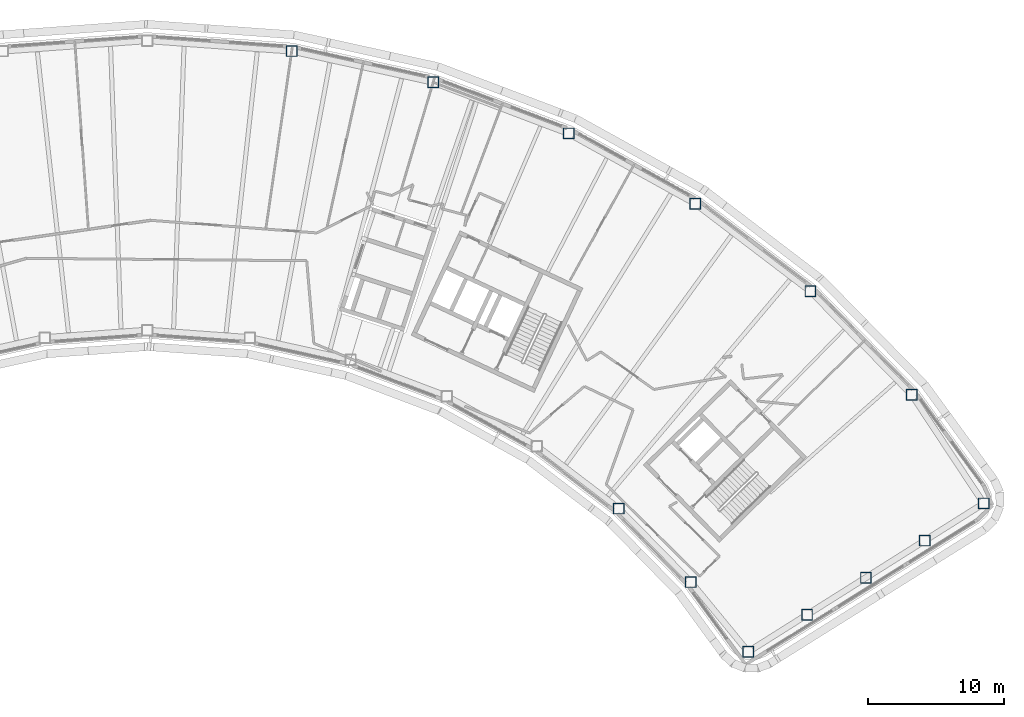
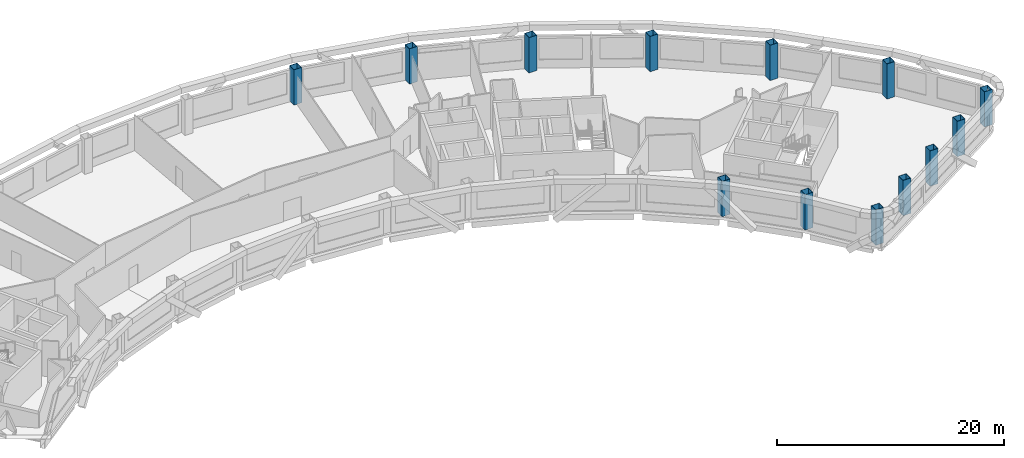
# One storey, part 2 of 18: 13 columns.
"""IFC4 building model written with IfcOpenShell, lengths in metres."""

from ifc_helpers import new_model, si_unit, direction, frame, origin, origin_2d, place, context, subcontext, project, spatial, hollow_rectangle, extrude, material, material_profile, profile_set, type_object, element, save


model = new_model("IFC4")

# Units and contexts
model_context = context("Model", 3, precision=1e-05, world=origin(), true_north=direction((0.0, 1.0)))
body_context = subcontext(model_context, "Body", "Model", "MODEL_VIEW")
ifc_project = project(units=[si_unit("LENGTHUNIT", "METRE"), si_unit("AREAUNIT", "SQUARE_METRE"), si_unit("VOLUMEUNIT", "CUBIC_METRE"), si_unit("PLANEANGLEUNIT", "RADIAN"), si_unit("MASSUNIT", "GRAM", prefix="KILO")], contexts=[model_context])

# Site, building, storey
site_placement = place(None, origin())
site = spatial("IfcSite", under=ifc_project, at=site_placement, CompositionType="ELEMENT")
building_placement = place(site_placement, origin())
building = spatial("IfcBuilding", under=site, at=building_placement, Name="Tuul Gate Civic Tower", CompositionType="ELEMENT")
storey_placement = place(building_placement, frame((0.0, 0.0, 234.699951171875)))
storey = spatial("IfcBuildingStorey", under=building, at=storey_placement, Name="Level 53", CompositionType="ELEMENT", Elevation=234.699951171875)

# Columns
ifc_material = material(Name="Steel S355", Category="steel")
ifc_material_profile = material_profile(ifc_material, hollow_rectangle(XDim=0.800048828125, YDim=0.800048828125, WallThickness=0.031982421875, at=origin_2d()), Name="BOX800x800x32")
ifc_profile_set = profile_set([ifc_material_profile], Name="Steel S355")
column_type = type_object("IfcColumnType", Name="STR-COLUMN-BOX800x800x32", PredefinedType="COLUMN", material=ifc_profile_set)
for number, where, z_axis, x_axis, name in (
    (1, (67.611083984375, -15.56298828125, 0.0), (0.0, 0.0, 1.0), (1.0, 0.0, 0.0), "Column"),
    (2, (62.31201171875, -7.550048828125, 0.0), (0.0, 0.0, 1.0), (1.0, 0.0, 0.0), "Column"),
    (3, (54.8369140625, 0.074951171875, 0.0), (0.0, 0.0, 1.0), (1.0, 0.0, 0.0), "Column"),
    (4, (46.342041015625, 6.54296875, 0.0), (0.0, 0.0, 1.0), (1.0, 0.0, 0.0), "Column"),
    (5, (37.0029296875, 11.718994140625, 0.0), (0.0, 0.0, 1.0), (1.0, 0.0, 0.0), "Column"),
    (6, (27.01611328125, 15.49609375, 0.0), (0.0, 0.0, 1.0), (1.0, 0.0, 0.0), "Column"),
    (7, (16.589111328125, 17.7939453125, 0.0), (0.0, 0.0, 1.0), (1.0, 0.0, 0.0), "Column"),
    (8, (40.7060546875, -15.93798828125, 0.0), (0.0, 0.0, 1.0), (1.0, 0.0, 0.0), "Column"),
    (9, (46.02099609375, -21.35888671875, 0.0), (0.0, 0.0, 1.0), (1.0, 0.0, 0.0), "Column"),
    (10, (50.240966796875, -26.5009765625, 0.0), (0.0, 0.0, 1.0), (1.0, 0.0, 0.0), "Column"),
    (11, (54.5830078125, -23.76708984375, 0.0), (0.0, 0.0, 1.0), (1.0, 0.0, 0.0), "Column"),
    (12, (58.926025390625, -21.031982421875, 0.0), (0.0, 0.0, 1.0), (1.0, 0.0, 0.0), "Column"),
    (13, (63.26806640625, -18.297119140625, 0.0), (0.0, 0.0, 1.0), (1.0, 0.0, 0.0), "Column"),
):
    element("IfcColumn", number, at=place(storey_placement, frame(where, z_axis=z_axis, x_axis=x_axis)), inside=storey, type_object=column_type, Name=name, PredefinedType="COLUMN", context=body_context, shape_type="SweptSolid", body=[
        extrude(hollow_rectangle(XDim=0.800048828125, YDim=0.800048828125, WallThickness=0.031982421875, at=origin_2d()), origin(), (0.0, 0.0, 1.0), 3.800048828125),
    ])

save(model, "model.ifc")
